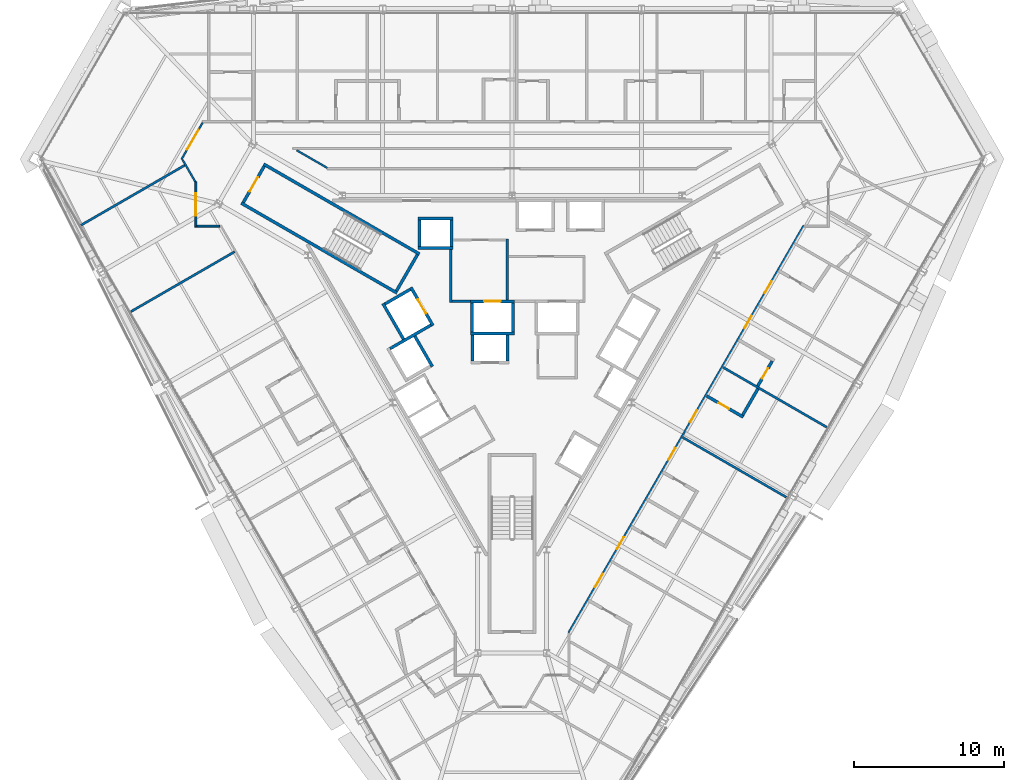
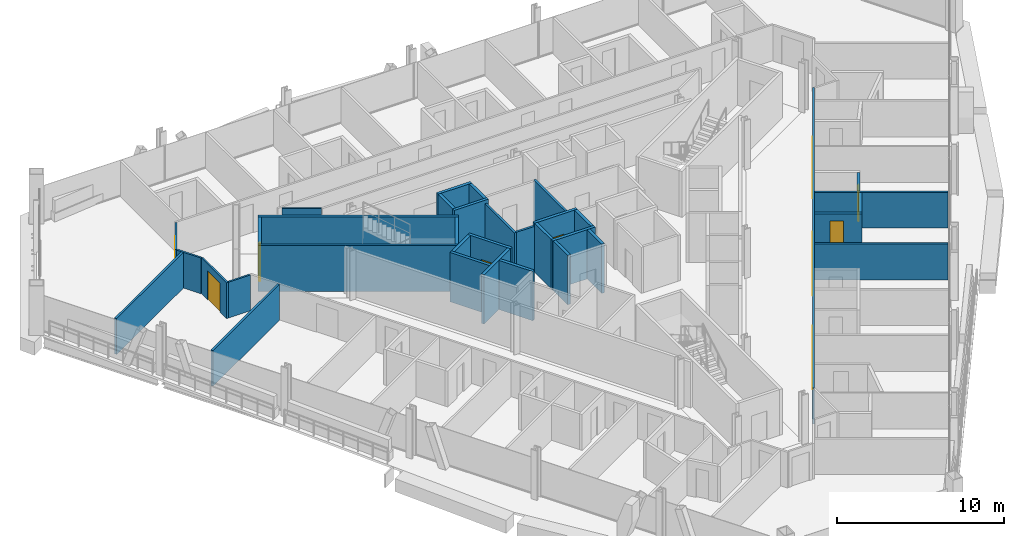
# One storey, part 13 of 18: 35 walls, 13 doors, 13 openings.
"""IFC4 building model written with IfcOpenShell, lengths in metres."""

import ifcopenshell
import ifcopenshell.guid

model = None  # the IFC model being written
_history = None  # IfcOwnerHistory: only IFC2X3 demands one
_inside = {}  # id of a spatial element -> (the spatial element, [elements in it])
_under = {}  # id of a project, library or spatial element -> (it, [spatial elements below it])
_declared = {}  # id of a project -> (the project, [libraries it declares])
_typed = {}  # id of a type object -> (the type object, [elements of that type])
_made_of = {}  # id of a material, layer set ... -> (it, [elements and type objects made of it])


def new_model(schema):
    """Start an empty IFC model of exactly this schema.

    Asked for "IFC4X3", IfcOpenShell would pick the latest addendum, in which some entities
    have other attributes; the version numbers below select the first issue.
    IFC2X3 requires an IfcOwnerHistory on every rooted entity: one is made here for all.
    """
    global model, _history
    if schema == "IFC4X3":
        model = ifcopenshell.file(schema_version=(4, 3, 0, 0))
    else:
        model = ifcopenshell.file(schema=schema)
    _inside.clear()
    _under.clear()
    _declared.clear()
    _typed.clear()
    _made_of.clear()
    _history = None
    if model.schema == "IFC2X3":
        org = make("IfcOrganization", Name="unknown")
        user = make(
            "IfcPersonAndOrganization",
            ThePerson=make("IfcPerson", FamilyName="unknown"),
            TheOrganization=org,
        )
        app = make(
            "IfcApplication",
            ApplicationDeveloper=org,
            Version="unknown",
            ApplicationFullName="unknown",
            ApplicationIdentifier="unknown",
        )
        _history = make(
            "IfcOwnerHistory",
            OwningUser=user,
            OwningApplication=app,
            ChangeAction="ADDED",
            CreationDate=0,
        )
    return model


def make(cls, **values):
    """One entity of the class cls with the attributes given. An attribute that is None is left unset."""
    return model.create_entity(
        cls, **{name: value for name, value in values.items() if value is not None}
    )


def rooted(cls, **values):
    """An entity with a GlobalId (a new one), such as an element, a storey or a relation."""
    return make(cls, GlobalId=ifcopenshell.guid.new(), OwnerHistory=_history, **values)


def si_unit(unit_type, name, prefix=None):
    """IfcSIUnit, for example si_unit("LENGTHUNIT", "METRE", prefix="MILLI")."""
    return make("IfcSIUnit", UnitType=unit_type, Prefix=prefix, Name=name)


def assignment(units):
    """IfcUnitAssignment: the units of a project."""
    return None if units is None else make("IfcUnitAssignment", Units=units)


def point(xyz):
    """IfcCartesianPoint."""
    return None if xyz is None else make("IfcCartesianPoint", Coordinates=xyz)


def direction(xyz):
    """IfcDirection."""
    return None if xyz is None else make("IfcDirection", DirectionRatios=xyz)


def frame(location, z_axis=None, x_axis=None):
    """IfcAxis2Placement3D, a coordinate frame: its origin and axes. An axis left out is left unset."""
    return make(
        "IfcAxis2Placement3D",
        Location=point(location),
        Axis=direction(z_axis),
        RefDirection=direction(x_axis),
    )


def frame_2d(location, x_axis=None):
    """IfcAxis2Placement2D, a coordinate frame in the plane: its origin and x axis."""
    return make(
        "IfcAxis2Placement2D", Location=point(location), RefDirection=direction(x_axis)
    )


def origin():
    """The frame at (0, 0, 0) with its axes left unset."""
    return frame((0.0, 0.0, 0.0))


def place(relative_to, where):
    """IfcLocalPlacement: puts the frame where relative to a parent placement (None: the world)."""
    return make(
        "IfcLocalPlacement", PlacementRelTo=relative_to, RelativePlacement=where
    )


def context(
    kind, dimensions, precision=None, world=None, true_north=None, identifier=None
):
    """IfcGeometricRepresentationContext, for example the 3D "Model" context."""
    return make(
        "IfcGeometricRepresentationContext",
        ContextIdentifier=identifier,
        ContextType=kind,
        CoordinateSpaceDimension=dimensions,
        Precision=precision,
        WorldCoordinateSystem=world,
        TrueNorth=true_north,
    )


def subcontext(parent, identifier, kind, view, scale=None):
    """IfcGeometricRepresentationSubContext, for example "Body" below "Model"."""
    return make(
        "IfcGeometricRepresentationSubContext",
        ContextIdentifier=identifier,
        ContextType=kind,
        ParentContext=parent,
        TargetScale=scale,
        TargetView=view,
    )


def project(units=None, contexts=None):
    """IfcProject with its units and contexts."""
    return rooted(
        "IfcProject",
        Name="project",
        RepresentationContexts=contexts,
        UnitsInContext=assignment(units),
    )


def spatial(cls, under=None, at=None, **own):
    """A site, building, storey or space (cls), placed at a placement, below another one or the project."""
    s = rooted(cls, ObjectPlacement=at, **own)
    if under is not None:
        _under.setdefault(under.id(), (under, []))[1].append(s)
    return s


def profile(cls, at=None, kind="AREA", **sizes):
    """A parametric profile (cls). Its sizes go by their IFC names, for example OverallWidth=200.0."""
    return make(cls, ProfileType=kind, Position=at, **sizes)


def rectangle(**sizes):
    """IfcRectangleProfileDef."""
    return profile("IfcRectangleProfileDef", **sizes)


def extrude(swept, where, along, depth):
    """IfcExtrudedAreaSolid: the profile swept, set in the frame where, extruded along a direction by depth."""
    return make(
        "IfcExtrudedAreaSolid",
        SweptArea=swept,
        Position=where,
        ExtrudedDirection=direction(along),
        Depth=depth,
    )


def shape(context_of_items, identifier, shape_type, items):
    """IfcShapeRepresentation: the items that make up one representation, for example the "Body"."""
    return make(
        "IfcShapeRepresentation",
        ContextOfItems=context_of_items,
        RepresentationIdentifier=identifier,
        RepresentationType=shape_type,
        Items=items,
    )


def material(Name=None, Category=None):
    """IfcMaterial."""
    return make("IfcMaterial", Name=Name, Category=Category)


def layer(
    of_material, thickness, ventilated=None, Name=None, Category=None, Priority=None
):
    """IfcMaterialLayer: one layer of a wall or slab, of a material (None: an air gap)."""
    return make(
        "IfcMaterialLayer",
        Material=of_material,
        LayerThickness=thickness,
        IsVentilated=ventilated,
        Name=Name,
        Category=Category,
        Priority=Priority,
    )


def layer_set(layers, Name=None):
    """IfcMaterialLayerSet."""
    return make("IfcMaterialLayerSet", MaterialLayers=layers, LayerSetName=Name)


def made_of(thing, what):
    """Note that an element or type object is made of a material, layer set ...; save() writes the relation."""
    if what is not None:
        _made_of.setdefault(what.id(), (what, []))[1].append(thing)
    return thing


def type_object(cls, material=None, **own):
    """A type object (cls), such as IfcWallType, which elements share."""
    return made_of(rooted(cls, **own), material)


def element(
    cls,
    number,
    at=None,
    inside=None,
    cuts=None,
    type_object=None,
    material=None,
    context=None,
    identifier="Body",
    shape_type=None,
    held_by="IfcProductDefinitionShape",
    body=None,
    shapes=None,
    **own,
):
    """One element of the class cls, such as IfcWall. Its Tag is "e" and its number.

    at: its placement. inside: the storey or other place that contains it. cuts: it is an
    opening in that element (IfcRelVoidsElement). A single representation is given by context,
    identifier, shape_type and body (its items); several are given by shapes. held_by: the class
    of the entity that holds the representations. save() writes the other relations.
    """
    e = rooted(cls, Tag="e%d" % number, ObjectPlacement=at, **own)
    if body is not None:
        shapes = [shape(context, identifier, shape_type, body)]
    if shapes is not None:
        e.Representation = make(held_by, Representations=shapes)
    if inside is not None:
        _inside.setdefault(inside.id(), (inside, []))[1].append(e)
    if cuts is not None:
        rooted(
            "IfcRelVoidsElement", RelatingBuildingElement=cuts, RelatedOpeningElement=e
        )
    if type_object is not None:
        _typed.setdefault(type_object.id(), (type_object, []))[1].append(e)
    return made_of(e, material)


def fill(opening, filler):
    """IfcRelFillsElement: the door or window that sits in an opening."""
    return rooted(
        "IfcRelFillsElement",
        RelatingOpeningElement=opening,
        RelatedBuildingElement=filler,
    )


def aggregate(whole, parts):
    """IfcRelAggregates: a whole, such as a stair, and the parts it consists of."""
    return rooted("IfcRelAggregates", RelatingObject=whole, RelatedObjects=parts)


def save(model, path):
    """Write the relations noted so far, then the file.

    IfcRelAggregates (storeys below a building ...), IfcRelContainedInSpatialStructure (elements
    in a storey), IfcRelDefinesByType, IfcRelAssociatesMaterial and IfcRelDeclares: one each for
    every whole, place, type object, material and project.
    """
    for whole, parts in _under.values():
        aggregate(whole, parts)
    for where, things in _inside.values():
        rooted(
            "IfcRelContainedInSpatialStructure",
            RelatedElements=things,
            RelatingStructure=where,
        )
    for kind, things in _typed.values():
        rooted("IfcRelDefinesByType", RelatedObjects=things, RelatingType=kind)
    for what, things in _made_of.values():
        rooted("IfcRelAssociatesMaterial", RelatedObjects=things, RelatingMaterial=what)
    for by, libraries in _declared.values():
        rooted("IfcRelDeclares", RelatingContext=by, RelatedDefinitions=libraries)
    model.write(path)


model = new_model("IFC4")

# Units and contexts
model_context = context("Model", 3, precision=1e-05, world=origin(), true_north=direction((0.0, 1.0)))
body_context = subcontext(model_context, "Body", "Model", "MODEL_VIEW")
ifc_project = project(units=[si_unit("LENGTHUNIT", "METRE"), si_unit("AREAUNIT", "SQUARE_METRE"), si_unit("VOLUMEUNIT", "CUBIC_METRE"), si_unit("PLANEANGLEUNIT", "RADIAN"), si_unit("MASSUNIT", "GRAM", prefix="KILO")], contexts=[model_context])

# Site, building, storey
site_placement = place(None, origin())
site = spatial("IfcSite", under=ifc_project, at=site_placement, CompositionType="ELEMENT")
building_placement = place(site_placement, origin())
building = spatial("IfcBuilding", under=site, at=building_placement, Name="Verrane Prism Tower", CompositionType="ELEMENT")
storey_placement = place(building_placement, frame((0.0, 0.0, 80.0)))
storey = spatial("IfcBuildingStorey", under=building, at=storey_placement, Name="L18", CompositionType="ELEMENT", Elevation=80.0)

# Wall, opening, door
ifc_material_1 = material(Name="Concrete C40/50", Category="concrete")
ifc_layer_1 = layer(ifc_material_1, 0.199951171875)
ifc_layer_set_1 = layer_set([ifc_layer_1], Name="CW-200 stair core wall concrete C40/50 3 h")
wall_type_1 = type_object("IfcWallType", Name="CW-200 stair core wall concrete C40/50 3 h", PredefinedType="PARTITIONING", material=ifc_layer_set_1)
wall_1_placement = place(storey_placement, frame((-16.533935546875, 11.162353515625, 0.0), z_axis=(0.0, 0.0, 1.0), x_axis=(-0.49998411664, -0.866034573852, 0.0)))
wall_1 = element("IfcWall", 1, at=wall_1_placement, inside=storey, type_object=wall_type_1, Name="Stair 2 enclosure wall", PredefinedType="PARTITIONING", context=body_context, shape_type="SweptSolid", body=[
    extrude(rectangle(XDim=2.7998046875, YDim=0.199951171875, at=frame_2d((1.39990234375, 0.0))), origin(), (0.0, 0.0, 1.0), 3.35009765625),
])
opening_1_placement = place(wall_1_placement, frame((0.849853515625, 0.0, 0.0)))
opening_1 = element("IfcOpeningElement", 2, at=opening_1_placement, cuts=wall_1, Name="Opening D17501", PredefinedType="OPENING", context=body_context, shape_type="SweptSolid", body=[
    extrude(rectangle(XDim=1.10009765625, YDim=2.10009765625, at=frame_2d((0.550048828125, 1.050048828125))), frame((0.0, 0.10986328125, 0.0), z_axis=(0.0, -1.0, 0.0), x_axis=(1.0, 0.0, 0.0)), (0.0, 0.0, 1.0), 0.219970703125),
])
ifc_material_2 = material(Name="Timber veneered door leaf", Category="wood")
door_type_1 = type_object("IfcDoorType", Name="DR-1100x2100 FD90 single leaf stair", OperationType="NOTDEFINED", PredefinedType="DOOR", material=ifc_material_2)
door_1_placement = place(opening_1_placement, origin())
door_1 = element("IfcDoor", 3, at=door_1_placement, inside=storey, type_object=door_type_1, Name="Stair 2 door", OperationType="SINGLE_SWING_RIGHT", OverallHeight=2.10009765625, OverallWidth=1.10009765625, PredefinedType="DOOR", context=body_context, shape_type="SweptSolid", body=[
    extrude(rectangle(XDim=1.10009765625, YDim=2.10009765625, at=frame_2d((0.550048828125, 1.050048828125))), frame((0.0, 0.02490234375, 0.0), z_axis=(0.0, -1.0, 0.0), x_axis=(1.0, 0.0, 0.0)), (0.0, 0.0, 1.0), 0.050048828125),
])
fill(opening_1, door_1)

# Walls
for number, where, z_axis, x_axis, name in (
    (4, (-7.67822265625, 2.700927734375, 0.0), (0.0, 0.0, 1.0), (-0.866026010844, 0.49999894854, 0.0), "Stair 2 enclosure wall"),
    (5, (-6.17822265625, 5.299072265625, 0.0), (0.0, 0.0, 1.0), (-0.866026010844, 0.49999894854, 0.0), "Stair 2 enclosure wall"),
):
    element("IfcWall", number, at=place(storey_placement, frame(where, z_axis=z_axis, x_axis=x_axis)), inside=storey, type_object=wall_type_1, Name=name, PredefinedType="PARTITIONING", context=body_context, shape_type="SweptSolid", body=[
        extrude(rectangle(XDim=12.0, YDim=0.199951171875, at=frame_2d((6.0, 0.0))), origin(), (0.0, 0.0, 1.0), 3.35009765625),
    ])
wall_2_placement = place(storey_placement, frame((-6.314697265625, 5.262451171875, 0.0), z_axis=(0.0, 0.0, 1.0), x_axis=(-0.500049511043, -0.865996816683, 0.0)))
element("IfcWall", 6, at=wall_2_placement, inside=storey, type_object=wall_type_1, Name="Stair 2 enclosure wall", PredefinedType="PARTITIONING", context=body_context, shape_type="SweptSolid", body=[
    extrude(rectangle(XDim=2.800048828125, YDim=0.199951171875, at=frame_2d((1.39990234375, 0.0))), origin(), (0.0, 0.0, 1.0), 3.35009765625),
])
ifc_material_3 = material(Name="Gypsum board shaft wall assembly", Category="other")
ifc_layer_2 = layer(ifc_material_3, 0.199951171875)
ifc_layer_set_2 = layer_set([ifc_layer_2], Name="HW-200 lift shaft wall 2 h")
wall_type_2 = type_object("IfcWallType", Name="HW-200 lift shaft wall 2 h", PredefinedType="PARTITIONING", material=ifc_layer_set_2)
wall_3_placement = place(storey_placement, frame((-2.784912109375, 0.0, 0.0), z_axis=(0.0, 0.0, 1.0), x_axis=(1.0, 0.0, 0.0)))
element("IfcWall", 7, at=wall_3_placement, inside=storey, type_object=wall_type_2, Name="Lift shaft wall", PredefinedType="PARTITIONING", context=body_context, shape_type="SweptSolid", body=[
    extrude(rectangle(XDim=2.949951171875, YDim=0.199951171875, at=frame_2d((1.47509765625, 0.0))), origin(), (0.0, 0.0, 1.0), 3.60009765625),
])

# Wall, opening, door
wall_4_placement = place(storey_placement, frame((-2.784912109375, 2.14990234375, 0.0), z_axis=(0.0, 0.0, 1.0), x_axis=(1.0, 0.0, 0.0)))
wall_4 = element("IfcWall", 8, at=wall_4_placement, inside=storey, type_object=wall_type_2, Name="Lift shaft wall", PredefinedType="PARTITIONING", context=body_context, shape_type="SweptSolid", body=[
    extrude(rectangle(XDim=2.949951171875, YDim=0.199951171875, at=frame_2d((1.47509765625, 0.0))), origin(), (0.0, 0.0, 1.0), 3.60009765625),
])
opening_2_placement = place(wall_4_placement, frame((0.925048828125, 0.0, 0.0)))
opening_2 = element("IfcOpeningElement", 9, at=opening_2_placement, cuts=wall_4, Name="Opening D17508", PredefinedType="OPENING", context=body_context, shape_type="SweptSolid", body=[
    extrude(rectangle(XDim=1.10009765625, YDim=2.10009765625, at=frame_2d((0.550048828125, 1.050048828125))), frame((0.0, 0.10986328125, 0.0), z_axis=(0.0, -1.0, 0.0), x_axis=(1.0, 0.0, 0.0)), (0.0, 0.0, 1.0), 0.219970703125),
])
ifc_material_4 = material(Name="Stainless steel sliding landing door", Category="steel")
door_type_2 = type_object("IfcDoorType", Name="LD-1100x2100 lift landing door FD90 sliding", OperationType="NOTDEFINED", PredefinedType="DOOR", material=ifc_material_4)
door_2_placement = place(opening_2_placement, origin())
door_2 = element("IfcDoor", 10, at=door_2_placement, inside=storey, type_object=door_type_2, Name="Fire service lift 1 landing door", OperationType="SLIDING_TO_LEFT", OverallHeight=2.10009765625, OverallWidth=1.10009765625, PredefinedType="DOOR", context=body_context, shape_type="SweptSolid", body=[
    extrude(rectangle(XDim=1.10009765625, YDim=2.10009765625, at=frame_2d((0.550048828125, 1.050048828125))), frame((0.0, 0.02490234375, 0.0), z_axis=(0.0, -1.0, 0.0), x_axis=(1.0, 0.0, 0.0)), (0.0, 0.0, 1.0), 0.050048828125),
])
fill(opening_2, door_2)

# Walls
for number, where, z_axis, x_axis, name in (
    (11, (-6.284912109375, 5.7099609375, 0.0), (0.0, 0.0, 1.0), (1.0, 0.0, 0.0), "Lift shaft wall"),
    (12, (-6.284912109375, 7.659912109375, 0.0), (0.0, 0.0, 1.0), (1.0, 0.0, 0.0), "Lift shaft wall"),
):
    element("IfcWall", number, at=place(storey_placement, frame(where, z_axis=z_axis, x_axis=x_axis)), inside=storey, type_object=wall_type_2, Name=name, PredefinedType="PARTITIONING", context=body_context, shape_type="SweptSolid", body=[
        extrude(rectangle(XDim=2.349853515625, YDim=0.199951171875, at=frame_2d((1.1748046875, 0.0))), origin(), (0.0, 0.0, 1.0), 3.60009765625),
    ])
wall_5_placement = place(storey_placement, frame((-8.14453125, -1.012939453125, 0.0), z_axis=(0.0, 0.0, 1.0), x_axis=(0.866016494683, 0.500015430699, 0.0)))
element("IfcWall", 13, at=wall_5_placement, inside=storey, type_object=wall_type_2, Name="Lift shaft wall", PredefinedType="PARTITIONING", context=body_context, shape_type="SweptSolid", body=[
    extrude(rectangle(XDim=3.14990234375, YDim=0.199951171875, at=frame_2d((1.574951171875, 0.0))), origin(), (0.0, 0.0, 1.0), 3.60009765625),
])
for number, where, z_axis, x_axis, name in (
    (14, (-8.48046875, 1.968505859375, 0.0), (0.0, 0.0, 1.0), (0.866000020948, 0.500043961785, 0.0), "Lift shaft wall"),
    (15, (0.06494140625, 0.10009765625, 0.0), (0.0, 0.0, 1.0), (0.0, 1.0, 0.0), "Lift shaft wall"),
):
    element("IfcWall", number, at=place(storey_placement, frame(where, z_axis=z_axis, x_axis=x_axis)), inside=storey, type_object=wall_type_2, Name=name, PredefinedType="PARTITIONING", context=body_context, shape_type="SweptSolid", body=[
        extrude(rectangle(XDim=1.949951171875, YDim=0.199951171875, at=frame_2d((0.97509765625, 0.0))), origin(), (0.0, 0.0, 1.0), 3.60009765625),
    ])
for number, where, z_axis, x_axis, name in (
    (16, (-0.304931640625, -1.85009765625, 0.0), (0.0, 0.0, 1.0), (0.0, 1.0, 0.0), "Lift shaft wall"),
    (17, (-2.655029296875, -1.85009765625, 0.0), (0.0, 0.0, 1.0), (0.0, 1.0, 0.0), "Lift shaft wall"),
):
    element("IfcWall", number, at=place(storey_placement, frame(where, z_axis=z_axis, x_axis=x_axis)), inside=storey, type_object=wall_type_2, Name=name, PredefinedType="PARTITIONING", context=body_context, shape_type="SweptSolid", body=[
        extrude(rectangle(XDim=1.75, YDim=0.199951171875, at=frame_2d((0.875, 0.0))), origin(), (0.0, 0.0, 1.0), 3.60009765625),
    ])
wall_6_placement = place(storey_placement, frame((-2.68505859375, 0.10009765625, 0.0), z_axis=(0.0, 0.0, 1.0), x_axis=(0.0, 1.0, 0.0)))
element("IfcWall", 18, at=wall_6_placement, inside=storey, type_object=wall_type_2, Name="Lift shaft wall", PredefinedType="PARTITIONING", context=body_context, shape_type="SweptSolid", body=[
    extrude(rectangle(XDim=1.949951171875, YDim=0.199951171875, at=frame_2d((0.97509765625, 0.0))), origin(), (0.0, 0.0, 1.0), 3.60009765625),
])
for number, where, z_axis, x_axis, name in (
    (19, (-4.034912109375, 5.81005859375, 0.0), (0.0, 0.0, 1.0), (0.0, 1.0, 0.0), "Lift shaft wall"),
    (20, (-6.18505859375, 5.81005859375, 0.0), (0.0, 0.0, 1.0), (0.0, 1.0, 0.0), "Lift shaft wall"),
):
    element("IfcWall", number, at=place(storey_placement, frame(where, z_axis=z_axis, x_axis=x_axis)), inside=storey, type_object=wall_type_2, Name=name, PredefinedType="PARTITIONING", context=body_context, shape_type="SweptSolid", body=[
        extrude(rectangle(XDim=1.75, YDim=0.199951171875, at=frame_2d((0.875, 0.0))), origin(), (0.0, 0.0, 1.0), 3.60009765625),
    ])

# Wall, opening, door
wall_7_placement = place(storey_placement, frame((-5.280029296875, 0.525390625, 0.0), z_axis=(0.0, 0.0, 1.0), x_axis=(-0.500037662692, 0.866003658127, 0.0)))
wall_7 = element("IfcWall", 21, at=wall_7_placement, inside=storey, type_object=wall_type_2, Name="Lift shaft wall", PredefinedType="PARTITIONING", context=body_context, shape_type="SweptSolid", body=[
    extrude(rectangle(XDim=2.949951171875, YDim=0.199951171875, at=frame_2d((1.47509765625, 0.0))), origin(), (0.0, 0.0, 1.0), 3.60009765625),
])
opening_3_placement = place(wall_7_placement, frame((0.925048828125, 0.0, 0.0)))
opening_3 = element("IfcOpeningElement", 22, at=opening_3_placement, cuts=wall_7, Name="Opening D17510", PredefinedType="OPENING", context=body_context, shape_type="SweptSolid", body=[
    extrude(rectangle(XDim=1.10009765625, YDim=2.10009765625, at=frame_2d((0.550048828125, 1.050048828125))), frame((0.0, 0.10986328125, 0.0), z_axis=(0.0, -1.0, 0.0), x_axis=(1.0, 0.0, 0.0)), (0.0, 0.0, 1.0), 0.219970703125),
])
door_3_placement = place(opening_3_placement, origin())
door_3 = element("IfcDoor", 23, at=door_3_placement, inside=storey, type_object=door_type_2, Name="Service lift 1 landing door", OperationType="SLIDING_TO_LEFT", OverallHeight=2.10009765625, OverallWidth=1.10009765625, PredefinedType="DOOR", context=body_context, shape_type="SweptSolid", body=[
    extrude(rectangle(XDim=1.10009765625, YDim=2.10009765625, at=frame_2d((0.550048828125, 1.050048828125))), frame((0.0, 0.02490234375, 0.0), z_axis=(0.0, -1.0, 0.0), x_axis=(1.0, 0.0, 0.0)), (0.0, 0.0, 1.0), 0.050048828125),
])
fill(opening_3, door_3)

# Walls
wall_8_placement = place(storey_placement, frame((-5.317626953125, -2.209716796875, 0.0), z_axis=(0.0, 0.0, 1.0), x_axis=(-0.499938297808, 0.866061024631, 0.0)))
element("IfcWall", 24, at=wall_8_placement, inside=storey, type_object=wall_type_2, Name="Lift shaft wall", PredefinedType="PARTITIONING", context=body_context, shape_type="SweptSolid", body=[
    extrude(rectangle(XDim=2.349853515625, YDim=0.199951171875, at=frame_2d((1.1748046875, 0.0))), origin(), (0.0, 0.0, 1.0), 3.60009765625),
])
wall_9_placement = place(storey_placement, frame((-7.241943359375, -0.37646484375, 0.0), z_axis=(0.0, 0.0, 1.0), x_axis=(-0.499996545922, 0.866027397988, 0.0)))
element("IfcWall", 25, at=wall_9_placement, inside=storey, type_object=wall_type_2, Name="Lift shaft wall", PredefinedType="PARTITIONING", context=body_context, shape_type="SweptSolid", body=[
    extrude(rectangle(XDim=2.75, YDim=0.199951171875, at=frame_2d((1.375, 0.0))), origin(), (0.0, 0.0, 1.0), 3.60009765625),
])
ifc_material_5 = material(Name="Gypsum board partition", Category="other")
ifc_layer_3 = layer(ifc_material_5, 0.14990234375)
ifc_layer_set_3 = layer_set([ifc_layer_3], Name="LF-150 firefighting lobby wall 1 h")
wall_type_3 = type_object("IfcWallType", Name="LF-150 firefighting lobby wall 1 h", PredefinedType="PARTITIONING", material=ifc_layer_set_3)
wall_10_placement = place(storey_placement, frame((-4.10009765625, 2.0849609375, 0.0), z_axis=(0.0, 0.0, 1.0), x_axis=(0.0, 1.0, 0.0)))
element("IfcWall", 26, at=wall_10_placement, inside=storey, type_object=wall_type_3, Name="Firefighting lobby wall LF1-001", PredefinedType="PARTITIONING", context=body_context, shape_type="SweptSolid", body=[
    extrude(rectangle(XDim=3.52294921875, YDim=0.14990234375, at=frame_2d((1.761474609375, 0.0))), origin(), (0.0, 0.0, 1.0), 3.35009765625),
])
wall_11_placement = place(storey_placement, frame((-4.02490234375, 2.159912109375, 0.0), z_axis=(0.0, 0.0, 1.0), x_axis=(1.0, 0.0, 0.0)))
element("IfcWall", 27, at=wall_11_placement, inside=storey, type_object=wall_type_3, Name="Firefighting lobby wall LF1-002", PredefinedType="PARTITIONING", context=body_context, shape_type="SweptSolid", body=[
    extrude(rectangle(XDim=1.23779296875, YDim=0.14990234375, at=frame_2d((0.618896484375, 0.0))), origin(), (0.0, 0.0, 1.0), 3.35009765625),
])
wall_12_placement = place(storey_placement, frame((-0.320068359375, 2.251953125, 0.0), z_axis=(0.0, 0.0, 1.0), x_axis=(0.0, 1.0, 0.0)))
element("IfcWall", 28, at=wall_12_placement, inside=storey, type_object=wall_type_3, Name="Firefighting lobby wall LF1-004", PredefinedType="PARTITIONING", context=body_context, shape_type="SweptSolid", body=[
    extrude(rectangle(XDim=4.06298828125, YDim=0.14990234375, at=frame_2d((2.031494140625, 0.0))), origin(), (0.0, 0.0, 1.0), 3.35009765625),
])
ifc_material_6 = material(Name="Gypsum board partition", Category="other")
ifc_layer_4 = layer(ifc_material_6, 0.125)
ifc_layer_set_4 = layer_set([ifc_layer_4], Name="PW-125 corridor wall 1 h")
wall_type_4 = type_object("IfcWallType", Name="PW-125 corridor wall 1 h", PredefinedType="PARTITIONING", material=ifc_layer_set_4)
wall_13_placement = place(storey_placement, frame((-21.982421875, 11.593505859375, 0.0), z_axis=(0.0, 0.0, 1.0), x_axis=(0.500048373822, -0.865997473344, 0.0)))
element("IfcWall", 29, at=wall_13_placement, inside=storey, type_object=wall_type_4, Name="Corridor wall 004", PredefinedType="PARTITIONING", context=body_context, shape_type="SweptSolid", body=[
    extrude(rectangle(XDim=1.685791015625, YDim=0.125, at=frame_2d((0.8427734375, 0.0))), origin(), (0.0, 0.0, 1.0), 2.613037109375),
])

# Wall, opening, door
wall_14_placement = place(storey_placement, frame((-22.05615234375, 11.61279296875, 0.0), z_axis=(0.0, 0.0, 1.0), x_axis=(0.499647745683, 0.866228682412, 0.0)))
wall_14 = element("IfcWall", 30, at=wall_14_placement, inside=storey, type_object=wall_type_4, Name="Corridor wall 005", PredefinedType="PARTITIONING", context=body_context, shape_type="SweptSolid", body=[
    extrude(rectangle(XDim=2.8291015625, YDim=0.125, at=frame_2d((1.41455078125, 0.0))), origin(), (0.0, 0.0, 1.0), 2.613037109375),
])
opening_4_placement = place(wall_14_placement, frame((0.762451171875, 0.0, 0.0)))
opening_4 = element("IfcOpeningElement", 31, at=opening_4_placement, cuts=wall_14, Name="Opening D17034", PredefinedType="OPENING", context=body_context, shape_type="SweptSolid", body=[
    extrude(rectangle(XDim=1.5, YDim=2.10009765625, at=frame_2d((0.75, 1.050048828125))), frame((0.0, 0.072509765625, 0.0), z_axis=(0.0, -1.0, 0.0), x_axis=(1.0, 0.0, 0.0)), (0.0, 0.0, 1.0), 0.14501953125),
])
ifc_material_7 = material(Name="Timber veneered door leaf", Category="wood")
door_type_3 = type_object("IfcDoorType", Name="DR-1500x2100 FD20 double leaf public", OperationType="NOTDEFINED", PredefinedType="DOOR", material=ifc_material_7)
door_4_placement = place(opening_4_placement, origin())
door_4 = element("IfcDoor", 32, at=door_4_placement, inside=storey, type_object=door_type_3, Name="Library Lounge door", OperationType="DOUBLE_DOOR_SINGLE_SWING", OverallHeight=2.10009765625, OverallWidth=1.5, PredefinedType="DOOR", context=body_context, shape_type="SweptSolid", body=[
    extrude(rectangle(XDim=1.5, YDim=2.10009765625, at=frame_2d((0.75, 1.050048828125))), frame((0.0, 0.02490234375, 0.0), z_axis=(0.0, -1.0, 0.0), x_axis=(1.0, 0.0, 0.0)), (0.0, 0.0, 1.0), 0.050048828125),
])
fill(opening_4, door_4)

wall_15_placement = place(storey_placement, frame((-21.096923828125, 7.1005859375, 0.0), z_axis=(0.0, 0.0, 1.0), x_axis=(0.0, 1.0, 0.0)))
wall_15 = element("IfcWall", 33, at=wall_15_placement, inside=storey, type_object=wall_type_4, Name="Corridor wall 006", PredefinedType="PARTITIONING", context=body_context, shape_type="SweptSolid", body=[
    extrude(rectangle(XDim=3.02197265625, YDim=0.125, at=frame_2d((1.510986328125, 0.0))), origin(), (0.0, 0.0, 1.0), 2.613037109375),
])
opening_5_placement = place(wall_15_placement, frame((0.762451171875, 0.0, 0.0)))
opening_5 = element("IfcOpeningElement", 34, at=opening_5_placement, cuts=wall_15, Name="Opening D17035", PredefinedType="OPENING", context=body_context, shape_type="SweptSolid", body=[
    extrude(rectangle(XDim=1.5, YDim=2.10009765625, at=frame_2d((0.75, 1.050048828125))), frame((0.0, 0.072509765625, 0.0), z_axis=(0.0, -1.0, 0.0), x_axis=(1.0, 0.0, 0.0)), (0.0, 0.0, 1.0), 0.14501953125),
])
door_5_placement = place(opening_5_placement, origin())
door_5 = element("IfcDoor", 35, at=door_5_placement, inside=storey, type_object=door_type_3, Name="Meeting Room door", OperationType="DOUBLE_DOOR_SINGLE_SWING", OverallHeight=2.10009765625, OverallWidth=1.5, PredefinedType="DOOR", context=body_context, shape_type="SweptSolid", body=[
    extrude(rectangle(XDim=1.5, YDim=2.10009765625, at=frame_2d((0.75, 1.050048828125))), frame((0.0, 0.02490234375, 0.0), z_axis=(0.0, -1.0, 0.0), x_axis=(1.0, 0.0, 0.0)), (0.0, 0.0, 1.0), 0.050048828125),
])
fill(opening_5, door_5)

# Walls
wall_16_placement = place(storey_placement, frame((-21.031982421875, 7.1630859375, 0.0), z_axis=(0.0, 0.0, 1.0), x_axis=(1.0, 0.0, 0.0)))
element("IfcWall", 36, at=wall_16_placement, inside=storey, type_object=wall_type_4, Name="Corridor wall 007", PredefinedType="PARTITIONING", context=body_context, shape_type="SweptSolid", body=[
    extrude(rectangle(XDim=1.52197265625, YDim=0.125, at=frame_2d((0.760986328125, 0.0))), origin(), (0.0, 0.0, 1.0), 2.613037109375),
])
wall_17_placement = place(storey_placement, frame((-14.369873046875, 12.221923828125, 0.0), z_axis=(0.0, 0.0, 1.0), x_axis=(0.866063239147, -0.499934461503, 0.0)))
element("IfcWall", 37, at=wall_17_placement, inside=storey, type_object=wall_type_4, Name="Corridor wall 019", PredefinedType="PARTITIONING", context=body_context, shape_type="SweptSolid", body=[
    extrude(rectangle(XDim=2.359130859375, YDim=0.125, at=frame_2d((1.1796875, 0.0))), origin(), (0.0, 0.0, 1.0), 2.613037109375),
])

# Wall, openings, doors
wall_18_placement = place(storey_placement, frame((19.456298828125, 7.217041015625, 0.0), z_axis=(0.0, 0.0, 1.0), x_axis=(-0.50002170027, -0.866012874765, 0.0)))
wall_18 = element("IfcWall", 38, at=wall_18_placement, inside=storey, type_object=wall_type_4, Name="Corridor wall 056", PredefinedType="PARTITIONING", context=body_context, shape_type="SweptSolid", body=[
    extrude(rectangle(XDim=31.37939453125, YDim=0.125, at=frame_2d((15.689697265625, 0.0))), origin(), (0.0, 0.0, 1.0), 2.613037109375),
])
opening_6_placement = place(wall_18_placement, frame((26.84326171875, 0.0, 0.0)))
opening_6 = element("IfcOpeningElement", 39, at=opening_6_placement, cuts=wall_18, Name="Opening D17003", PredefinedType="OPENING", context=body_context, shape_type="SweptSolid", body=[
    extrude(rectangle(XDim=1.0, YDim=2.10009765625, at=frame_2d((0.5, 1.050048828125))), frame((0.0, 0.072509765625, 0.0), z_axis=(0.0, -1.0, 0.0), x_axis=(1.0, 0.0, 0.0)), (0.0, 0.0, 1.0), 0.14501953125),
])
opening_7_placement = place(wall_18_placement, frame((24.0302734375, 0.0, 0.0)))
opening_7 = element("IfcOpeningElement", 40, at=opening_7_placement, cuts=wall_18, Name="Opening D17005", PredefinedType="OPENING", context=body_context, shape_type="SweptSolid", body=[
    extrude(rectangle(XDim=0.89990234375, YDim=2.10009765625, at=frame_2d((0.449951171875, 1.050048828125))), frame((0.0, 0.072509765625, 0.0), z_axis=(0.0, -1.0, 0.0), x_axis=(1.0, 0.0, 0.0)), (0.0, 0.0, 1.0), 0.14501953125),
])
opening_8_placement = place(wall_18_placement, frame((17.1591796875, 0.0, 0.0)))
opening_8 = element("IfcOpeningElement", 41, at=opening_8_placement, cuts=wall_18, Name="Opening D17007", PredefinedType="OPENING", context=body_context, shape_type="SweptSolid", body=[
    extrude(rectangle(XDim=0.89990234375, YDim=2.10009765625, at=frame_2d((0.449951171875, 1.050048828125))), frame((0.0, 0.072509765625, 0.0), z_axis=(0.0, -1.0, 0.0), x_axis=(1.0, 0.0, 0.0)), (0.0, 0.0, 1.0), 0.14501953125),
])
opening_9_placement = place(wall_18_placement, frame((14.240234375, 0.0, 0.0)))
opening_9 = element("IfcOpeningElement", 42, at=opening_9_placement, cuts=wall_18, Name="Opening D17009", PredefinedType="OPENING", context=body_context, shape_type="SweptSolid", body=[
    extrude(rectangle(XDim=0.89990234375, YDim=2.10009765625, at=frame_2d((0.449951171875, 1.050048828125))), frame((0.0, 0.072509765625, 0.0), z_axis=(0.0, -1.0, 0.0), x_axis=(1.0, 0.0, 0.0)), (0.0, 0.0, 1.0), 0.14501953125),
])
opening_10_placement = place(wall_18_placement, frame((6.997314453125, 0.0, 0.0)))
opening_10 = element("IfcOpeningElement", 43, at=opening_10_placement, cuts=wall_18, Name="Opening D17011", PredefinedType="OPENING", context=body_context, shape_type="SweptSolid", body=[
    extrude(rectangle(XDim=0.89990234375, YDim=2.10009765625, at=frame_2d((0.449951171875, 1.050048828125))), frame((0.0, 0.072509765625, 0.0), z_axis=(0.0, -1.0, 0.0), x_axis=(1.0, 0.0, 0.0)), (0.0, 0.0, 1.0), 0.14501953125),
])
opening_11_placement = place(wall_18_placement, frame((4.3271484375, 0.0, 0.0)))
opening_11 = element("IfcOpeningElement", 44, at=opening_11_placement, cuts=wall_18, Name="Opening D17013", PredefinedType="OPENING", context=body_context, shape_type="SweptSolid", body=[
    extrude(rectangle(XDim=0.89990234375, YDim=2.10009765625, at=frame_2d((0.449951171875, 1.050048828125))), frame((0.0, 0.072509765625, 0.0), z_axis=(0.0, -1.0, 0.0), x_axis=(1.0, 0.0, 0.0)), (0.0, 0.0, 1.0), 0.14501953125),
])
ifc_material_8 = material(Name="Timber veneered door leaf", Category="wood")
door_type_4 = type_object("IfcDoorType", Name="DR-1000x2100 FD20 single leaf unit", OperationType="NOTDEFINED", PredefinedType="DOOR", material=ifc_material_8)
door_6_placement = place(opening_6_placement, origin())
door_6 = element("IfcDoor", 45, at=door_6_placement, inside=storey, type_object=door_type_4, Name="Accessible Guest Room door", OperationType="SINGLE_SWING_LEFT", OverallHeight=2.10009765625, OverallWidth=1.0, PredefinedType="DOOR", context=body_context, shape_type="SweptSolid", body=[
    extrude(rectangle(XDim=1.0, YDim=2.10009765625, at=frame_2d((0.5, 1.050048828125))), frame((0.0, 0.02490234375, 0.0), z_axis=(0.0, -1.0, 0.0), x_axis=(1.0, 0.0, 0.0)), (0.0, 0.0, 1.0), 0.050048828125),
])
fill(opening_6, door_6)
ifc_material_9 = material(Name="Timber veneered door leaf", Category="wood")
door_type_5 = type_object("IfcDoorType", Name="DR-900x2100 FD20 single leaf unit", OperationType="NOTDEFINED", PredefinedType="DOOR", material=ifc_material_9)
door_7_placement = place(opening_7_placement, origin())
door_7 = element("IfcDoor", 46, at=door_7_placement, inside=storey, type_object=door_type_5, Name="Guest Room door", OperationType="SINGLE_SWING_LEFT", OverallHeight=2.10009765625, OverallWidth=0.89990234375, PredefinedType="DOOR", context=body_context, shape_type="SweptSolid", body=[
    extrude(rectangle(XDim=0.89990234375, YDim=2.10009765625, at=frame_2d((0.449951171875, 1.050048828125))), frame((0.0, 0.02490234375, 0.0), z_axis=(0.0, -1.0, 0.0), x_axis=(1.0, 0.0, 0.0)), (0.0, 0.0, 1.0), 0.050048828125),
])
fill(opening_7, door_7)
door_8_placement = place(opening_8_placement, origin())
door_8 = element("IfcDoor", 47, at=door_8_placement, inside=storey, type_object=door_type_5, Name="Guest Room door", OperationType="SINGLE_SWING_LEFT", OverallHeight=2.10009765625, OverallWidth=0.89990234375, PredefinedType="DOOR", context=body_context, shape_type="SweptSolid", body=[
    extrude(rectangle(XDim=0.89990234375, YDim=2.10009765625, at=frame_2d((0.449951171875, 1.050048828125))), frame((0.0, 0.02490234375, 0.0), z_axis=(0.0, -1.0, 0.0), x_axis=(1.0, 0.0, 0.0)), (0.0, 0.0, 1.0), 0.050048828125),
])
fill(opening_8, door_8)
door_9_placement = place(opening_9_placement, origin())
door_9 = element("IfcDoor", 48, at=door_9_placement, inside=storey, type_object=door_type_5, Name="Guest Room door", OperationType="SINGLE_SWING_LEFT", OverallHeight=2.10009765625, OverallWidth=0.89990234375, PredefinedType="DOOR", context=body_context, shape_type="SweptSolid", body=[
    extrude(rectangle(XDim=0.89990234375, YDim=2.10009765625, at=frame_2d((0.449951171875, 1.050048828125))), frame((0.0, 0.02490234375, 0.0), z_axis=(0.0, -1.0, 0.0), x_axis=(1.0, 0.0, 0.0)), (0.0, 0.0, 1.0), 0.050048828125),
])
fill(opening_9, door_9)
door_10_placement = place(opening_10_placement, origin())
door_10 = element("IfcDoor", 49, at=door_10_placement, inside=storey, type_object=door_type_5, Name="Guest Room door", OperationType="SINGLE_SWING_RIGHT", OverallHeight=2.10009765625, OverallWidth=0.89990234375, PredefinedType="DOOR", context=body_context, shape_type="SweptSolid", body=[
    extrude(rectangle(XDim=0.89990234375, YDim=2.10009765625, at=frame_2d((0.449951171875, 1.050048828125))), frame((0.0, 0.02490234375, 0.0), z_axis=(0.0, -1.0, 0.0), x_axis=(1.0, 0.0, 0.0)), (0.0, 0.0, 1.0), 0.050048828125),
])
fill(opening_10, door_10)
door_11_placement = place(opening_11_placement, origin())
door_11 = element("IfcDoor", 50, at=door_11_placement, inside=storey, type_object=door_type_5, Name="Guest Room door", OperationType="SINGLE_SWING_RIGHT", OverallHeight=2.10009765625, OverallWidth=0.89990234375, PredefinedType="DOOR", context=body_context, shape_type="SweptSolid", body=[
    extrude(rectangle(XDim=0.89990234375, YDim=2.10009765625, at=frame_2d((0.449951171875, 1.050048828125))), frame((0.0, 0.02490234375, 0.0), z_axis=(0.0, -1.0, 0.0), x_axis=(1.0, 0.0, 0.0)), (0.0, 0.0, 1.0), 0.050048828125),
])
fill(opening_11, door_11)

# Walls
ifc_material_10 = material(Name="Gypsum board partition", Category="other")
ifc_layer_5 = layer(ifc_material_10, 0.14990234375)
ifc_layer_set_5 = layer_set([ifc_layer_5], Name="PW-150 demising wall 1 h")
wall_type_5 = type_object("IfcWallType", Name="PW-150 demising wall 1 h", PredefinedType="PARTITIONING", material=ifc_layer_set_5)
wall_19_placement = place(storey_placement, frame((-28.759521484375, 7.22314453125, 0.0), z_axis=(0.0, 0.0, 1.0), x_axis=(0.866019724796, 0.500009836168, 0.0)))
element("IfcWall", 51, at=wall_19_placement, inside=storey, type_object=wall_type_5, Name="Demising wall 001", PredefinedType="PARTITIONING", context=body_context, shape_type="SweptSolid", body=[
    extrude(rectangle(XDim=7.990966796875, YDim=0.14990234375, at=frame_2d((3.99560546875, 0.0))), origin(), (0.0, 0.0, 1.0), 2.613037109375),
])
wall_20_placement = place(storey_placement, frame((-25.431640625, 1.458984375, 0.0), z_axis=(0.0, 0.0, 1.0), x_axis=(0.866052736899, 0.499952654668, 0.0)))
element("IfcWall", 52, at=wall_20_placement, inside=storey, type_object=wall_type_5, Name="Demising wall 002", PredefinedType="PARTITIONING", context=body_context, shape_type="SweptSolid", body=[
    extrude(rectangle(XDim=7.987060546875, YDim=0.14990234375, at=frame_2d((3.99365234375, 0.0))), origin(), (0.0, 0.0, 1.0), 2.613037109375),
])
wall_21_placement = place(storey_placement, frame((11.365234375, -6.921142578125, 0.0), z_axis=(0.0, 0.0, 1.0), x_axis=(0.866008543052, -0.500029202507, 0.0)))
element("IfcWall", 53, at=wall_21_placement, inside=storey, type_object=wall_type_5, Name="Demising wall 071", PredefinedType="PARTITIONING", context=body_context, shape_type="SweptSolid", body=[
    extrude(rectangle(XDim=7.99169921875, YDim=0.14990234375, at=frame_2d((3.995849609375, 0.0))), origin(), (0.0, 0.0, 1.0), 2.613037109375),
])
wall_22_placement = place(storey_placement, frame((14.0654296875, -2.253662109375, 0.0), z_axis=(0.0, 0.0, 1.0), x_axis=(0.866045096311, -0.499965889992, 0.0)))
element("IfcWall", 54, at=wall_22_placement, inside=storey, type_object=wall_type_5, Name="Demising wall 075", PredefinedType="PARTITIONING", context=body_context, shape_type="SweptSolid", body=[
    extrude(rectangle(XDim=7.98681640625, YDim=0.14990234375, at=frame_2d((3.993408203125, 0.0))), origin(), (0.0, 0.0, 1.0), 2.613037109375),
])

# Wall, opening, door
ifc_material_11 = material(Name="Gypsum board partition", Category="other")
ifc_layer_6 = layer(ifc_material_11, 0.199951171875)
ifc_layer_set_6 = layer_set([ifc_layer_6], Name="PW-200 plumbing wall")
wall_type_6 = type_object("IfcWallType", Name="PW-200 plumbing wall", PredefinedType="PARTITIONING", material=ifc_layer_set_6)
wall_23_placement = place(storey_placement, frame((12.965576171875, -4.15869140625, 0.0), z_axis=(0.0, 0.0, 1.0), x_axis=(0.866033446572, -0.499986069224, 0.0)))
wall_23 = element("IfcWall", 55, at=wall_23_placement, inside=storey, type_object=wall_type_6, Name="Plumbing wall 074", PredefinedType="PARTITIONING", context=body_context, shape_type="SweptSolid", body=[
    extrude(rectangle(XDim=2.83251953125, YDim=0.199951171875, at=frame_2d((1.416259765625, 0.0))), origin(), (0.0, 0.0, 1.0), 2.613037109375),
])
opening_12_placement = place(wall_23_placement, frame((0.9326171875, 0.0, 0.0)))
opening_12 = element("IfcOpeningElement", 56, at=opening_12_placement, cuts=wall_23, Name="Opening D17010", PredefinedType="OPENING", context=body_context, shape_type="SweptSolid", body=[
    extrude(rectangle(XDim=0.800048828125, YDim=2.10009765625, at=frame_2d((0.39990234375, 1.050048828125))), frame((0.0, 0.10986328125, 0.0), z_axis=(0.0, -1.0, 0.0), x_axis=(1.0, 0.0, 0.0)), (0.0, 0.0, 1.0), 0.219970703125),
])
ifc_material_12 = material(Name="Timber veneered door leaf", Category="wood")
door_type_6 = type_object("IfcDoorType", Name="DR-800x2100 single leaf bath", OperationType="NOTDEFINED", PredefinedType="DOOR", material=ifc_material_12)
door_12_placement = place(opening_12_placement, origin())
door_12 = element("IfcDoor", 57, at=door_12_placement, inside=storey, type_object=door_type_6, Name="En-Suite door", OperationType="SINGLE_SWING_LEFT", OverallHeight=2.10009765625, OverallWidth=0.800048828125, PredefinedType="DOOR", context=body_context, shape_type="SweptSolid", body=[
    extrude(rectangle(XDim=0.800048828125, YDim=2.10009765625, at=frame_2d((0.39990234375, 1.050048828125))), frame((0.0, 0.02490234375, 0.0), z_axis=(0.0, -1.0, 0.0), x_axis=(1.0, 0.0, 0.0)), (0.0, 0.0, 1.0), 0.050048828125),
])
fill(opening_12, door_12)

# Wall
wall_24_placement = place(storey_placement, frame((15.382080078125, -5.4384765625, 0.0), z_axis=(0.0, 0.0, 1.0), x_axis=(0.500042536776, 0.866000843773, 0.0)))
element("IfcWall", 58, at=wall_24_placement, inside=storey, type_object=wall_type_6, Name="Plumbing wall 077", PredefinedType="PARTITIONING", context=body_context, shape_type="SweptSolid", body=[
    extrude(rectangle(XDim=2.024658203125, YDim=0.199951171875, at=frame_2d((1.01220703125, 0.0))), origin(), (0.0, 0.0, 1.0), 2.613037109375),
])

# Wall, opening, door
wall_25_placement = place(storey_placement, frame((16.383544921875, -3.505126953125, 0.0), z_axis=(0.0, 0.0, 1.0), x_axis=(0.499876134923, 0.86609690551, 0.0)))
wall_25 = element("IfcWall", 59, at=wall_25_placement, inside=storey, type_object=wall_type_6, Name="Plumbing wall 079", PredefinedType="PARTITIONING", context=body_context, shape_type="SweptSolid", body=[
    extrude(rectangle(XDim=1.92529296875, YDim=0.199951171875, at=frame_2d((0.962646484375, 0.0))), origin(), (0.0, 0.0, 1.0), 2.613037109375),
])
opening_13_placement = place(wall_25_placement, frame((0.574951171875, 0.0, 0.0)))
opening_13 = element("IfcOpeningElement", 60, at=opening_13_placement, cuts=wall_25, Name="Opening D17012", PredefinedType="OPENING", context=body_context, shape_type="SweptSolid", body=[
    extrude(rectangle(XDim=0.800048828125, YDim=2.10009765625, at=frame_2d((0.39990234375, 1.050048828125))), frame((0.0, 0.10986328125, 0.0), z_axis=(0.0, -1.0, 0.0), x_axis=(1.0, 0.0, 0.0)), (0.0, 0.0, 1.0), 0.219970703125),
])
door_13_placement = place(opening_13_placement, origin())
door_13 = element("IfcDoor", 61, at=door_13_placement, inside=storey, type_object=door_type_6, Name="En-Suite door", OperationType="SINGLE_SWING_RIGHT", OverallHeight=2.10009765625, OverallWidth=0.800048828125, PredefinedType="DOOR", context=body_context, shape_type="SweptSolid", body=[
    extrude(rectangle(XDim=0.800048828125, YDim=2.10009765625, at=frame_2d((0.39990234375, 1.050048828125))), frame((0.0, 0.02490234375, 0.0), z_axis=(0.0, -1.0, 0.0), x_axis=(1.0, 0.0, 0.0)), (0.0, 0.0, 1.0), 0.050048828125),
])
fill(opening_13, door_13)

save(model, "model.ifc")
